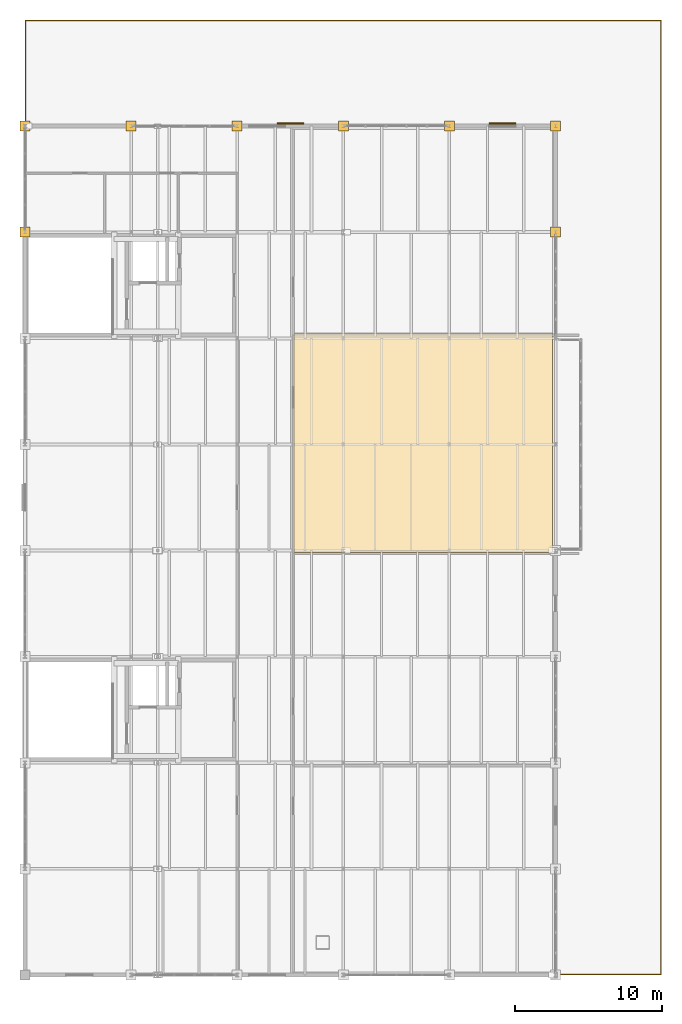
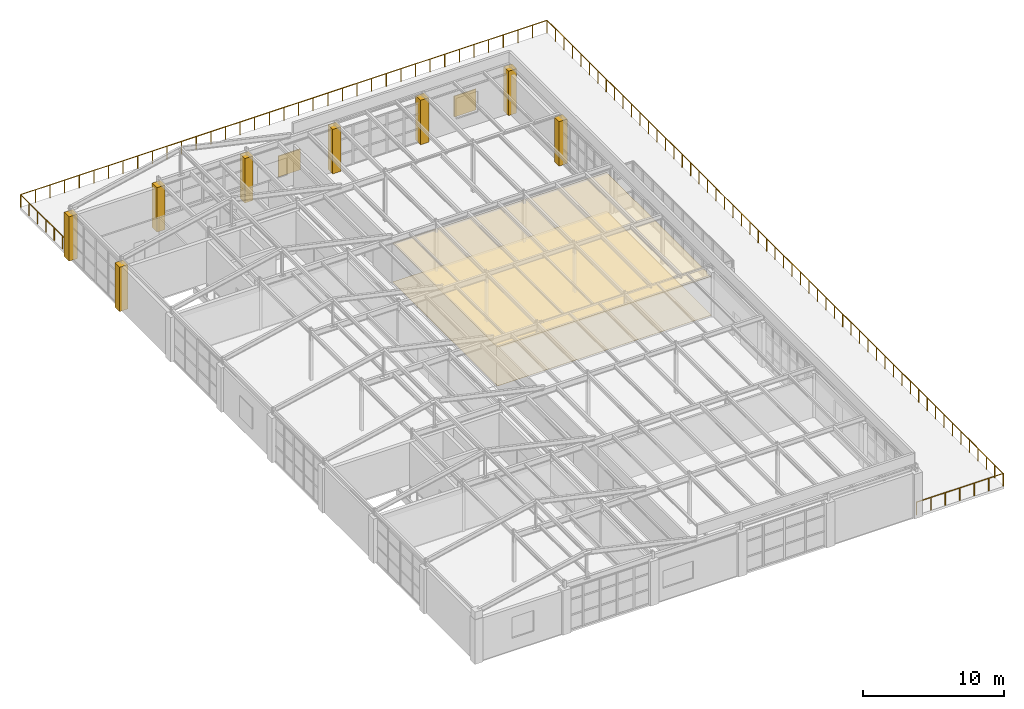
# One storey, part 43 of 43: 10 coverings, 2 shading devices, 1 railing.
"""IFC4 building model written with IfcOpenShell, lengths in metres."""

from ifc_helpers import new_model, si_unit, direction, frame, origin, origin_2d, place, context, subcontext, project, spatial, polyline, rectangle, circle, outline, extrude, material, layer, layer_set, type_object, element, save


model = new_model("IFC4")

# Units and contexts
model_context = context("Model", 3, precision=1e-05, world=origin(), true_north=direction((0.0, 1.0)))
body_context = subcontext(model_context, "Body", "Model", "MODEL_VIEW")
ifc_project = project(units=[si_unit("LENGTHUNIT", "METRE"), si_unit("AREAUNIT", "SQUARE_METRE"), si_unit("VOLUMEUNIT", "CUBIC_METRE"), si_unit("PLANEANGLEUNIT", "RADIAN"), si_unit("MASSUNIT", "GRAM", prefix="KILO")], contexts=[model_context])

# Site, building, storey
site_placement = place(None, origin())
site = spatial("IfcSite", under=ifc_project, at=site_placement, CompositionType="ELEMENT")
building_placement = place(site_placement, origin())
building = spatial("IfcBuilding", under=site, at=building_placement, Name="Kemerveld Promenade Tramway Depot", CompositionType="ELEMENT")
storey_placement = place(building_placement, frame((0.0, 0.0, 18.89990234375)))
storey = spatial("IfcBuildingStorey", under=building, at=storey_placement, Name="L04", CompositionType="ELEMENT", Elevation=18.89990234375)

# Coverings
ifc_material_1 = material(Name="Perforated mineral-fibre acoustic ceiling")
ifc_layer_1 = layer(ifc_material_1, 0.02490234375)
ifc_layer_set_1 = layer_set([ifc_layer_1], Name="COV-CEIL-AC")
covering_type_1 = type_object("IfcCoveringType", Name="COV-CEIL-AC", PredefinedType="CEILING", material=ifc_layer_set_1)
covering_1_placement = place(storey_placement, frame((0.0, 0.0, 3.35498046875)))
element("IfcCovering", 1, at=covering_1_placement, inside=storey, type_object=covering_type_1, Name="CEIL-RM-L04-V5-OCC", PredefinedType="CEILING", context=body_context, shape_type="SweptSolid", body=[
    extrude(outline(polyline([(18.264892578125, 28.679931640625), (35.784912109375, 28.679931640625), (35.784912109375, 43.550048828125), (18.264892578125, 43.550048828125), (18.264892578125, 28.679931640625)])), origin(), (0.0, 0.0, 1.0), 0.025146484375),
])
ifc_material_2 = material(Name="Dressed Harare granite ashlar cladding", Category="masonry")
ifc_layer_2 = layer(ifc_material_2, 0.050048828125)
ifc_layer_set_2 = layer_set([ifc_layer_2], Name="COV-CLAD-GRAN")
covering_type_2 = type_object("IfcCoveringType", Name="COV-CLAD-GRAN", PredefinedType="CLADDING", material=ifc_layer_set_2)
covering_2_placement = place(storey_placement, origin())
element("IfcCovering", 2, at=covering_2_placement, inside=storey, type_object=covering_type_2, Name="CLAD-PIER-L04-390", PredefinedType="CLADDING", context=body_context, shape_type="SweptSolid", body=[
    extrude(outline(polyline([(-0.340087890625, 50.06005859375), (0.340087890625, 50.06005859375), (0.340087890625, 50.739990234375), (-0.340087890625, 50.739990234375), (-0.340087890625, 50.06005859375)])), origin(), (0.0, 0.0, 1.0), 3.85009765625),
])
covering_3_placement = place(storey_placement, origin())
element("IfcCovering", 3, at=covering_3_placement, inside=storey, type_object=covering_type_2, Name="CLAD-PIER-L04-391", PredefinedType="CLADDING", context=body_context, shape_type="SweptSolid", body=[
    extrude(outline(polyline([(-0.340087890625, 57.260009765625), (0.340087890625, 57.260009765625), (0.340087890625, 57.93994140625), (-0.340087890625, 57.93994140625), (-0.340087890625, 57.260009765625)])), origin(), (0.0, 0.0, 1.0), 3.85009765625),
])
covering_4_placement = place(storey_placement, origin())
element("IfcCovering", 4, at=covering_4_placement, inside=storey, type_object=covering_type_2, Name="CLAD-PIER-L04-392", PredefinedType="CLADDING", context=body_context, shape_type="SweptSolid", body=[
    extrude(outline(polyline([(6.860107421875, 57.260009765625), (7.5400390625, 57.260009765625), (7.5400390625, 57.93994140625), (6.860107421875, 57.93994140625), (6.860107421875, 57.260009765625)])), origin(), (0.0, 0.0, 1.0), 3.85009765625),
])
covering_5_placement = place(storey_placement, origin())
element("IfcCovering", 5, at=covering_5_placement, inside=storey, type_object=covering_type_2, Name="CLAD-PIER-L04-393", PredefinedType="CLADDING", context=body_context, shape_type="SweptSolid", body=[
    extrude(outline(polyline([(14.06005859375, 57.260009765625), (14.739990234375, 57.260009765625), (14.739990234375, 57.93994140625), (14.06005859375, 57.93994140625), (14.06005859375, 57.260009765625)])), origin(), (0.0, 0.0, 1.0), 3.85009765625),
])
covering_6_placement = place(storey_placement, origin())
element("IfcCovering", 6, at=covering_6_placement, inside=storey, type_object=covering_type_2, Name="CLAD-PIER-L04-394", PredefinedType="CLADDING", context=body_context, shape_type="SweptSolid", body=[
    extrude(outline(polyline([(21.260009765625, 57.260009765625), (21.93994140625, 57.260009765625), (21.93994140625, 57.93994140625), (21.260009765625, 57.93994140625), (21.260009765625, 57.260009765625)])), origin(), (0.0, 0.0, 1.0), 3.85009765625),
])
covering_7_placement = place(storey_placement, origin())
element("IfcCovering", 7, at=covering_7_placement, inside=storey, type_object=covering_type_2, Name="CLAD-PIER-L04-395", PredefinedType="CLADDING", context=body_context, shape_type="SweptSolid", body=[
    extrude(outline(polyline([(28.4599609375, 57.260009765625), (29.139892578125, 57.260009765625), (29.139892578125, 57.93994140625), (28.4599609375, 57.93994140625), (28.4599609375, 57.260009765625)])), origin(), (0.0, 0.0, 1.0), 3.85009765625),
])
covering_8_placement = place(storey_placement, origin())
element("IfcCovering", 8, at=covering_8_placement, inside=storey, type_object=covering_type_2, Name="CLAD-PIER-L04-396", PredefinedType="CLADDING", context=body_context, shape_type="SweptSolid", body=[
    extrude(outline(polyline([(35.659912109375, 57.260009765625), (36.340087890625, 57.260009765625), (36.340087890625, 57.93994140625), (35.659912109375, 57.93994140625), (35.659912109375, 57.260009765625)])), origin(), (0.0, 0.0, 1.0), 3.85009765625),
])
covering_9_placement = place(storey_placement, origin())
element("IfcCovering", 9, at=covering_9_placement, inside=storey, type_object=covering_type_2, Name="CLAD-PIER-L04-406", PredefinedType="CLADDING", context=body_context, shape_type="SweptSolid", body=[
    extrude(outline(polyline([(35.659912109375, 50.06005859375), (36.340087890625, 50.06005859375), (36.340087890625, 50.739990234375), (35.659912109375, 50.739990234375), (35.659912109375, 50.06005859375)])), origin(), (0.0, 0.0, 1.0), 3.85009765625),
])
ifc_material_3 = material(Name="Honed Harare granite terrazzo flooring", Category="masonry")
ifc_layer_3 = layer(ifc_material_3, 0.02001953125)
ifc_layer_set_3 = layer_set([ifc_layer_3], Name="COV-FLR-TERR")
covering_type_3 = type_object("IfcCoveringType", Name="COV-FLR-TERR", PredefinedType="FLOORING", material=ifc_layer_set_3)
covering_10_placement = place(storey_placement, origin())
element("IfcCovering", 10, at=covering_10_placement, inside=storey, type_object=covering_type_3, Name="FLR-RM-L04-V5-OCC", PredefinedType="FLOORING", context=body_context, shape_type="SweptSolid", body=[
    extrude(outline(polyline([(18.264892578125, 28.679931640625), (35.784912109375, 28.679931640625), (35.784912109375, 43.550048828125), (18.264892578125, 43.550048828125), (18.264892578125, 28.679931640625)])), origin(), (0.0, 0.0, 1.0), 0.02001953125),
])

# Railing
ifc_material_4 = material(Name="Bronze-finished steel and laminated safety glass", Category="steel")
railing_type = type_object("IfcRailingType", Name="RL-BAL-1100", PredefinedType="BALUSTRADE", material=ifc_material_4)
railing_placement = place(storey_placement, frame((36.0400390625, 0.0400390625, 0.0)))
element("IfcRailing", 11, at=railing_placement, inside=storey, type_object=railing_type, Name="RL-TER-L04-LOOK", PredefinedType="BALUSTRADE", context=body_context, shape_type="SweptSolid", body=[
    extrude(circle(Radius=0.02392578125, at=origin_2d()), frame((0.0, 0.0, 1.09619140625), z_axis=(1.0, 0.0, 0.0), x_axis=(0.0, 1.0, 0.0)), (0.0, 0.0, 1.0), 7.119873046875),
    extrude(circle(Radius=0.02392578125, at=origin_2d()), frame((7.119873046875, 0.0, 1.09619140625), z_axis=(0.0, 1.0, 0.0), x_axis=(-1.0, 0.0, 0.0)), (0.0, 0.0, 1.0), 64.719970703125),
    extrude(circle(Radius=0.02392578125, at=origin_2d()), frame((7.119873046875, 64.719970703125, 1.09619140625), z_axis=(-1.0, 0.0, 0.0), x_axis=(0.0, -1.0, 0.0)), (0.0, 0.0, 1.0), 43.119873046875),
    extrude(circle(Radius=0.02392578125, at=origin_2d()), frame((-36.0, 64.719970703125, 1.09619140625), z_axis=(0.0, -1.0, 0.0), x_axis=(1.0, 0.0, 0.0)), (0.0, 0.0, 1.0), 7.1201171875),
    extrude(circle(Radius=0.02099609375, at=origin_2d()), origin(), (0.0, 0.0, 1.0), 1.072021484375),
    extrude(circle(Radius=0.02099609375, at=origin_2d()), frame((1.1865234375, 0.0, 0.0)), (0.0, 0.0, 1.0), 1.072021484375),
    extrude(circle(Radius=0.02099609375, at=origin_2d()), frame((2.373291015625, 0.0, 0.0)), (0.0, 0.0, 1.0), 1.072021484375),
    extrude(circle(Radius=0.02099609375, at=origin_2d()), frame((3.56005859375, 0.0, 0.0)), (0.0, 0.0, 1.0), 1.072021484375),
    extrude(circle(Radius=0.02099609375, at=origin_2d()), frame((4.74658203125, 0.0, 0.0)), (0.0, 0.0, 1.0), 1.072021484375),
    extrude(circle(Radius=0.02099609375, at=origin_2d()), frame((5.93310546875, 0.0, 0.0)), (0.0, 0.0, 1.0), 1.072021484375),
    extrude(circle(Radius=0.02099609375, at=origin_2d()), frame((7.119873046875, 0.0, 0.0)), (0.0, 0.0, 1.0), 1.072021484375),
    extrude(circle(Radius=0.02099609375, at=origin_2d()), frame((7.119873046875, 1.198486328125, 0.0)), (0.0, 0.0, 1.0), 1.072021484375),
    extrude(circle(Radius=0.02099609375, at=origin_2d()), frame((7.119873046875, 2.39697265625, 0.0)), (0.0, 0.0, 1.0), 1.072021484375),
    extrude(circle(Radius=0.02099609375, at=origin_2d()), frame((7.119873046875, 3.595458984375, 0.0)), (0.0, 0.0, 1.0), 1.072021484375),
    extrude(circle(Radius=0.02099609375, at=origin_2d()), frame((7.119873046875, 4.794189453125, 0.0)), (0.0, 0.0, 1.0), 1.072021484375),
    extrude(circle(Radius=0.02099609375, at=origin_2d()), frame((7.119873046875, 5.99267578125, 0.0)), (0.0, 0.0, 1.0), 1.072021484375),
    extrude(circle(Radius=0.02099609375, at=origin_2d()), frame((7.119873046875, 7.191162109375, 0.0)), (0.0, 0.0, 1.0), 1.072021484375),
    extrude(circle(Radius=0.02099609375, at=origin_2d()), frame((7.119873046875, 8.3896484375, 0.0)), (0.0, 0.0, 1.0), 1.072021484375),
    extrude(circle(Radius=0.02099609375, at=origin_2d()), frame((7.119873046875, 9.588134765625, 0.0)), (0.0, 0.0, 1.0), 1.072021484375),
    extrude(circle(Radius=0.02099609375, at=origin_2d()), frame((7.119873046875, 10.78662109375, 0.0)), (0.0, 0.0, 1.0), 1.072021484375),
    extrude(circle(Radius=0.02099609375, at=origin_2d()), frame((7.119873046875, 11.985107421875, 0.0)), (0.0, 0.0, 1.0), 1.072021484375),
    extrude(circle(Radius=0.02099609375, at=origin_2d()), frame((7.119873046875, 13.18359375, 0.0)), (0.0, 0.0, 1.0), 1.072021484375),
    extrude(circle(Radius=0.02099609375, at=origin_2d()), frame((7.119873046875, 14.38232421875, 0.0)), (0.0, 0.0, 1.0), 1.072021484375),
    extrude(circle(Radius=0.02099609375, at=origin_2d()), frame((7.119873046875, 15.580810546875, 0.0)), (0.0, 0.0, 1.0), 1.072021484375),
    extrude(circle(Radius=0.02099609375, at=origin_2d()), frame((7.119873046875, 16.779296875, 0.0)), (0.0, 0.0, 1.0), 1.072021484375),
    extrude(circle(Radius=0.02099609375, at=origin_2d()), frame((7.119873046875, 17.977783203125, 0.0)), (0.0, 0.0, 1.0), 1.072021484375),
    extrude(circle(Radius=0.02099609375, at=origin_2d()), frame((7.119873046875, 19.17626953125, 0.0)), (0.0, 0.0, 1.0), 1.072021484375),
    extrude(circle(Radius=0.02099609375, at=origin_2d()), frame((7.119873046875, 20.374755859375, 0.0)), (0.0, 0.0, 1.0), 1.072021484375),
    extrude(circle(Radius=0.02099609375, at=origin_2d()), frame((7.119873046875, 21.5732421875, 0.0)), (0.0, 0.0, 1.0), 1.072021484375),
    extrude(circle(Radius=0.02099609375, at=origin_2d()), frame((7.119873046875, 22.771728515625, 0.0)), (0.0, 0.0, 1.0), 1.072021484375),
    extrude(circle(Radius=0.02099609375, at=origin_2d()), frame((7.119873046875, 23.970458984375, 0.0)), (0.0, 0.0, 1.0), 1.072021484375),
    extrude(circle(Radius=0.02099609375, at=origin_2d()), frame((7.119873046875, 25.1689453125, 0.0)), (0.0, 0.0, 1.0), 1.072021484375),
    extrude(circle(Radius=0.02099609375, at=origin_2d()), frame((7.119873046875, 26.367431640625, 0.0)), (0.0, 0.0, 1.0), 1.072021484375),
    extrude(circle(Radius=0.02099609375, at=origin_2d()), frame((7.119873046875, 27.56591796875, 0.0)), (0.0, 0.0, 1.0), 1.072021484375),
    extrude(circle(Radius=0.02099609375, at=origin_2d()), frame((7.119873046875, 28.764404296875, 0.0)), (0.0, 0.0, 1.0), 1.072021484375),
    extrude(circle(Radius=0.02099609375, at=origin_2d()), frame((7.119873046875, 29.962890625, 0.0)), (0.0, 0.0, 1.0), 1.072021484375),
    extrude(circle(Radius=0.02099609375, at=origin_2d()), frame((7.119873046875, 31.161376953125, 0.0)), (0.0, 0.0, 1.0), 1.072021484375),
    extrude(circle(Radius=0.02099609375, at=origin_2d()), frame((7.119873046875, 32.35986328125, 0.0)), (0.0, 0.0, 1.0), 1.072021484375),
    extrude(circle(Radius=0.02099609375, at=origin_2d()), frame((7.119873046875, 33.55859375, 0.0)), (0.0, 0.0, 1.0), 1.072021484375),
    extrude(circle(Radius=0.02099609375, at=origin_2d()), frame((7.119873046875, 34.757080078125, 0.0)), (0.0, 0.0, 1.0), 1.072021484375),
    extrude(circle(Radius=0.02099609375, at=origin_2d()), frame((7.119873046875, 35.95556640625, 0.0)), (0.0, 0.0, 1.0), 1.072021484375),
    extrude(circle(Radius=0.02099609375, at=origin_2d()), frame((7.119873046875, 37.154052734375, 0.0)), (0.0, 0.0, 1.0), 1.072021484375),
    extrude(circle(Radius=0.02099609375, at=origin_2d()), frame((7.119873046875, 38.3525390625, 0.0)), (0.0, 0.0, 1.0), 1.072021484375),
    extrude(circle(Radius=0.02099609375, at=origin_2d()), frame((7.119873046875, 39.551025390625, 0.0)), (0.0, 0.0, 1.0), 1.072021484375),
    extrude(circle(Radius=0.02099609375, at=origin_2d()), frame((7.119873046875, 40.74951171875, 0.0)), (0.0, 0.0, 1.0), 1.072021484375),
    extrude(circle(Radius=0.02099609375, at=origin_2d()), frame((7.119873046875, 41.9482421875, 0.0)), (0.0, 0.0, 1.0), 1.072021484375),
    extrude(circle(Radius=0.02099609375, at=origin_2d()), frame((7.119873046875, 43.146728515625, 0.0)), (0.0, 0.0, 1.0), 1.072021484375),
    extrude(circle(Radius=0.02099609375, at=origin_2d()), frame((7.119873046875, 44.34521484375, 0.0)), (0.0, 0.0, 1.0), 1.072021484375),
    extrude(circle(Radius=0.02099609375, at=origin_2d()), frame((7.119873046875, 45.543701171875, 0.0)), (0.0, 0.0, 1.0), 1.072021484375),
    extrude(circle(Radius=0.02099609375, at=origin_2d()), frame((7.119873046875, 46.7421875, 0.0)), (0.0, 0.0, 1.0), 1.072021484375),
    extrude(circle(Radius=0.02099609375, at=origin_2d()), frame((7.119873046875, 47.940673828125, 0.0)), (0.0, 0.0, 1.0), 1.072021484375),
    extrude(circle(Radius=0.02099609375, at=origin_2d()), frame((7.119873046875, 49.13916015625, 0.0)), (0.0, 0.0, 1.0), 1.072021484375),
    extrude(circle(Radius=0.02099609375, at=origin_2d()), frame((7.119873046875, 50.337646484375, 0.0)), (0.0, 0.0, 1.0), 1.072021484375),
    extrude(circle(Radius=0.02099609375, at=origin_2d()), frame((7.119873046875, 51.536376953125, 0.0)), (0.0, 0.0, 1.0), 1.072021484375),
    extrude(circle(Radius=0.02099609375, at=origin_2d()), frame((7.119873046875, 52.73486328125, 0.0)), (0.0, 0.0, 1.0), 1.072021484375),
    extrude(circle(Radius=0.02099609375, at=origin_2d()), frame((7.119873046875, 53.933349609375, 0.0)), (0.0, 0.0, 1.0), 1.072021484375),
    extrude(circle(Radius=0.02099609375, at=origin_2d()), frame((7.119873046875, 55.1318359375, 0.0)), (0.0, 0.0, 1.0), 1.072021484375),
    extrude(circle(Radius=0.02099609375, at=origin_2d()), frame((7.119873046875, 56.330322265625, 0.0)), (0.0, 0.0, 1.0), 1.072021484375),
    extrude(circle(Radius=0.02099609375, at=origin_2d()), frame((7.119873046875, 57.52880859375, 0.0)), (0.0, 0.0, 1.0), 1.072021484375),
    extrude(circle(Radius=0.02099609375, at=origin_2d()), frame((7.119873046875, 58.727294921875, 0.0)), (0.0, 0.0, 1.0), 1.072021484375),
    extrude(circle(Radius=0.02099609375, at=origin_2d()), frame((7.119873046875, 59.92578125, 0.0)), (0.0, 0.0, 1.0), 1.072021484375),
    extrude(circle(Radius=0.02099609375, at=origin_2d()), frame((7.119873046875, 61.12451171875, 0.0)), (0.0, 0.0, 1.0), 1.072021484375),
    extrude(circle(Radius=0.02099609375, at=origin_2d()), frame((7.119873046875, 62.322998046875, 0.0)), (0.0, 0.0, 1.0), 1.072021484375),
    extrude(circle(Radius=0.02099609375, at=origin_2d()), frame((7.119873046875, 63.521484375, 0.0)), (0.0, 0.0, 1.0), 1.072021484375),
    extrude(circle(Radius=0.02099609375, at=origin_2d()), frame((7.119873046875, 64.719970703125, 0.0)), (0.0, 0.0, 1.0), 1.072021484375),
    extrude(circle(Radius=0.02099609375, at=origin_2d()), frame((5.922119140625, 64.719970703125, 0.0)), (0.0, 0.0, 1.0), 1.072021484375),
    extrude(circle(Radius=0.02099609375, at=origin_2d()), frame((4.724365234375, 64.719970703125, 0.0)), (0.0, 0.0, 1.0), 1.072021484375),
    extrude(circle(Radius=0.02099609375, at=origin_2d()), frame((3.526611328125, 64.719970703125, 0.0)), (0.0, 0.0, 1.0), 1.072021484375),
    extrude(circle(Radius=0.02099609375, at=origin_2d()), frame((2.328857421875, 64.719970703125, 0.0)), (0.0, 0.0, 1.0), 1.072021484375),
    extrude(circle(Radius=0.02099609375, at=origin_2d()), frame((1.131103515625, 64.719970703125, 0.0)), (0.0, 0.0, 1.0), 1.072021484375),
    extrude(circle(Radius=0.02099609375, at=origin_2d()), frame((-0.06689453125, 64.719970703125, 0.0)), (0.0, 0.0, 1.0), 1.072021484375),
    extrude(circle(Radius=0.02099609375, at=origin_2d()), frame((-1.2646484375, 64.719970703125, 0.0)), (0.0, 0.0, 1.0), 1.072021484375),
    extrude(circle(Radius=0.02099609375, at=origin_2d()), frame((-2.46240234375, 64.719970703125, 0.0)), (0.0, 0.0, 1.0), 1.072021484375),
    extrude(circle(Radius=0.02099609375, at=origin_2d()), frame((-3.66015625, 64.719970703125, 0.0)), (0.0, 0.0, 1.0), 1.072021484375),
    extrude(circle(Radius=0.02099609375, at=origin_2d()), frame((-4.85791015625, 64.719970703125, 0.0)), (0.0, 0.0, 1.0), 1.072021484375),
    extrude(circle(Radius=0.02099609375, at=origin_2d()), frame((-6.0556640625, 64.719970703125, 0.0)), (0.0, 0.0, 1.0), 1.072021484375),
    extrude(circle(Radius=0.02099609375, at=origin_2d()), frame((-7.25341796875, 64.719970703125, 0.0)), (0.0, 0.0, 1.0), 1.072021484375),
    extrude(circle(Radius=0.02099609375, at=origin_2d()), frame((-8.451171875, 64.719970703125, 0.0)), (0.0, 0.0, 1.0), 1.072021484375),
    extrude(circle(Radius=0.02099609375, at=origin_2d()), frame((-9.64892578125, 64.719970703125, 0.0)), (0.0, 0.0, 1.0), 1.072021484375),
    extrude(circle(Radius=0.02099609375, at=origin_2d()), frame((-10.8466796875, 64.719970703125, 0.0)), (0.0, 0.0, 1.0), 1.072021484375),
    extrude(circle(Radius=0.02099609375, at=origin_2d()), frame((-12.04443359375, 64.719970703125, 0.0)), (0.0, 0.0, 1.0), 1.072021484375),
    extrude(circle(Radius=0.02099609375, at=origin_2d()), frame((-13.2421875, 64.719970703125, 0.0)), (0.0, 0.0, 1.0), 1.072021484375),
    extrude(circle(Radius=0.02099609375, at=origin_2d()), frame((-14.43994140625, 64.719970703125, 0.0)), (0.0, 0.0, 1.0), 1.072021484375),
    extrude(circle(Radius=0.02099609375, at=origin_2d()), frame((-15.637939453125, 64.719970703125, 0.0)), (0.0, 0.0, 1.0), 1.072021484375),
    extrude(circle(Radius=0.02099609375, at=origin_2d()), frame((-16.835693359375, 64.719970703125, 0.0)), (0.0, 0.0, 1.0), 1.072021484375),
    extrude(circle(Radius=0.02099609375, at=origin_2d()), frame((-18.033447265625, 64.719970703125, 0.0)), (0.0, 0.0, 1.0), 1.072021484375),
    extrude(circle(Radius=0.02099609375, at=origin_2d()), frame((-19.231201171875, 64.719970703125, 0.0)), (0.0, 0.0, 1.0), 1.072021484375),
    extrude(circle(Radius=0.02099609375, at=origin_2d()), frame((-20.428955078125, 64.719970703125, 0.0)), (0.0, 0.0, 1.0), 1.072021484375),
    extrude(circle(Radius=0.02099609375, at=origin_2d()), frame((-21.626708984375, 64.719970703125, 0.0)), (0.0, 0.0, 1.0), 1.072021484375),
    extrude(circle(Radius=0.02099609375, at=origin_2d()), frame((-22.824462890625, 64.719970703125, 0.0)), (0.0, 0.0, 1.0), 1.072021484375),
    extrude(circle(Radius=0.02099609375, at=origin_2d()), frame((-24.022216796875, 64.719970703125, 0.0)), (0.0, 0.0, 1.0), 1.072021484375),
    extrude(circle(Radius=0.02099609375, at=origin_2d()), frame((-25.219970703125, 64.719970703125, 0.0)), (0.0, 0.0, 1.0), 1.072021484375),
    extrude(circle(Radius=0.02099609375, at=origin_2d()), frame((-26.417724609375, 64.719970703125, 0.0)), (0.0, 0.0, 1.0), 1.072021484375),
    extrude(circle(Radius=0.02099609375, at=origin_2d()), frame((-27.615478515625, 64.719970703125, 0.0)), (0.0, 0.0, 1.0), 1.072021484375),
    extrude(circle(Radius=0.02099609375, at=origin_2d()), frame((-28.8134765625, 64.719970703125, 0.0)), (0.0, 0.0, 1.0), 1.072021484375),
    extrude(circle(Radius=0.02099609375, at=origin_2d()), frame((-30.01123046875, 64.719970703125, 0.0)), (0.0, 0.0, 1.0), 1.072021484375),
    extrude(circle(Radius=0.02099609375, at=origin_2d()), frame((-31.208984375, 64.719970703125, 0.0)), (0.0, 0.0, 1.0), 1.072021484375),
    extrude(circle(Radius=0.02099609375, at=origin_2d()), frame((-32.40673828125, 64.719970703125, 0.0)), (0.0, 0.0, 1.0), 1.072021484375),
    extrude(circle(Radius=0.02099609375, at=origin_2d()), frame((-33.6044921875, 64.719970703125, 0.0)), (0.0, 0.0, 1.0), 1.072021484375),
    extrude(circle(Radius=0.02099609375, at=origin_2d()), frame((-34.80224609375, 64.719970703125, 0.0)), (0.0, 0.0, 1.0), 1.072021484375),
    extrude(circle(Radius=0.02099609375, at=origin_2d()), frame((-36.0, 64.719970703125, 0.0)), (0.0, 0.0, 1.0), 1.072021484375),
    extrude(circle(Radius=0.02099609375, at=origin_2d()), frame((-36.0, 63.533203125, 0.0)), (0.0, 0.0, 1.0), 1.072021484375),
    extrude(circle(Radius=0.02099609375, at=origin_2d()), frame((-36.0, 62.3466796875, 0.0)), (0.0, 0.0, 1.0), 1.072021484375),
    extrude(circle(Radius=0.02099609375, at=origin_2d()), frame((-36.0, 61.159912109375, 0.0)), (0.0, 0.0, 1.0), 1.072021484375),
    extrude(circle(Radius=0.02099609375, at=origin_2d()), frame((-36.0, 59.97314453125, 0.0)), (0.0, 0.0, 1.0), 1.072021484375),
    extrude(circle(Radius=0.02099609375, at=origin_2d()), frame((-36.0, 58.78662109375, 0.0)), (0.0, 0.0, 1.0), 1.072021484375),
    extrude(circle(Radius=0.02099609375, at=origin_2d()), frame((-36.0, 57.599853515625, 0.0)), (0.0, 0.0, 1.0), 1.072021484375),
])

# Shading devices
ifc_material_5 = material(Name="Perforated bronze-aluminium sun screen", Category="aluminium")
ifc_layer_4 = layer(ifc_material_5, 0.080078125)
ifc_layer_set_4 = layer_set([ifc_layer_4], Name="SHD-SCREEN")
shading_device_type = type_object("IfcShadingDeviceType", Name="SHD-SCREEN", PredefinedType="SHUTTER", material=ifc_layer_set_4)
for number, where, z_axis, x_axis, name in (
    (12, (18.0, 57.780029296875, 0.89990234375), (0.0, 0.0, 1.0), (1.0, 0.0, 0.0), "SHD-L04-030"),
    (13, (32.39990234375, 57.780029296875, 1.05029296875), (0.0, 0.0, 1.0), (1.0, 0.0, 0.0), "SHD-L04-031"),
):
    element("IfcShadingDevice", number, at=place(storey_placement, frame(where, z_axis=z_axis, x_axis=x_axis)), inside=storey, type_object=shading_device_type, Name=name, PredefinedType="SHUTTER", context=body_context, shape_type="SweptSolid", body=[
        extrude(rectangle(XDim=1.800048828125, YDim=0.080078125, at=origin_2d()), origin(), (0.0, 0.0, 1.0), 1.800048828125),
    ])

save(model, "model.ifc")
